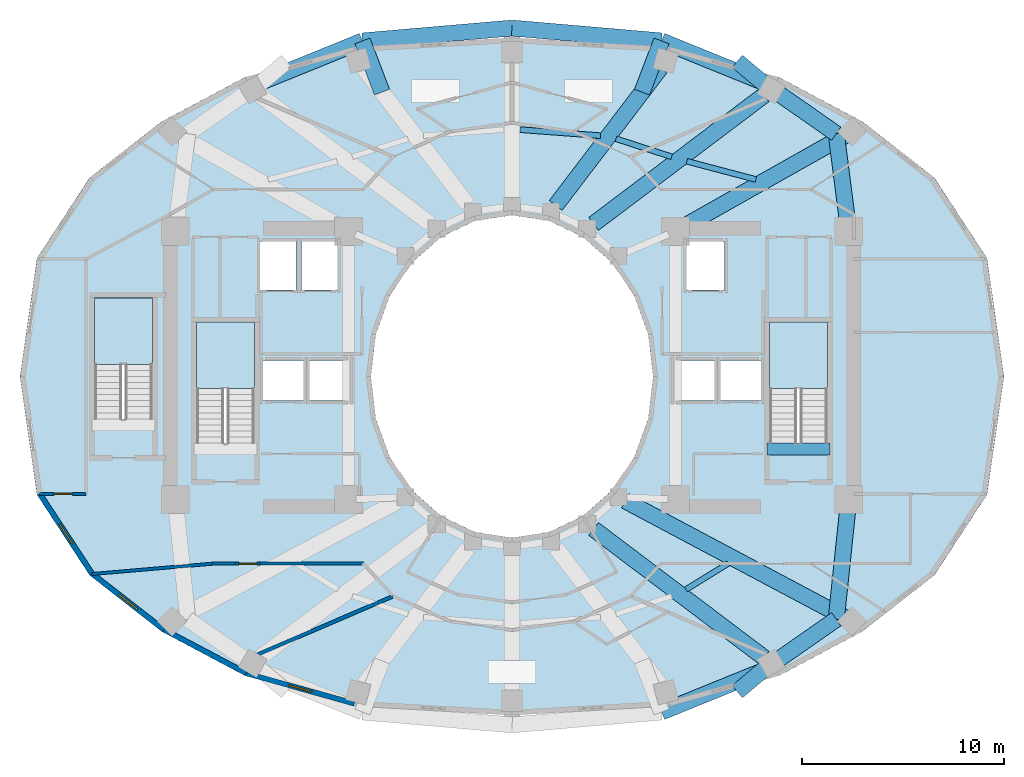
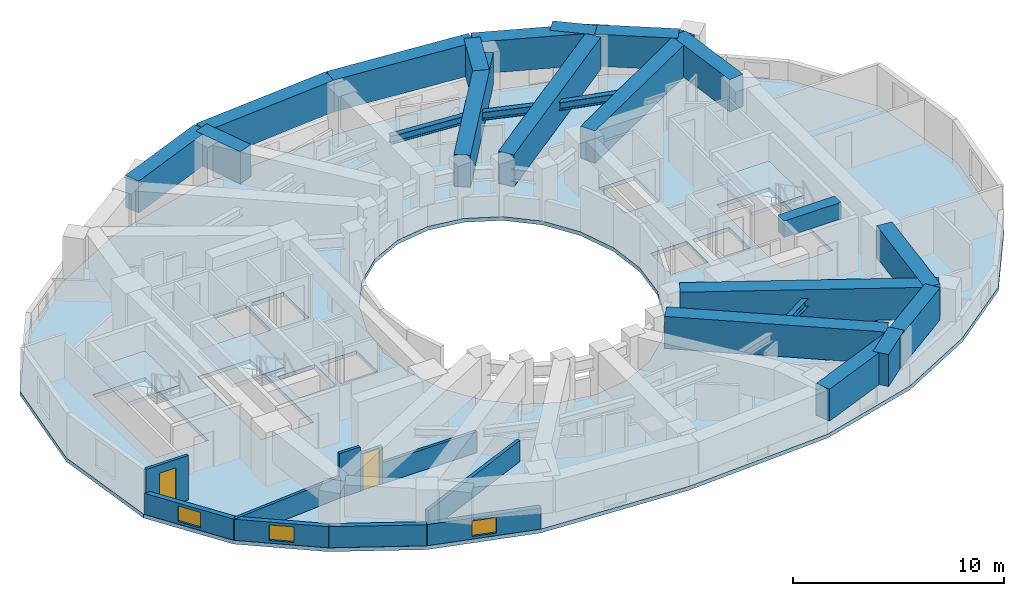
# One storey, part 2 of 9: 23 beams, 10 walls, 4 slabs, 3 windows, 2 doors, 5 openings, 3 elements without a shape of their own.
"""IFC4 building model written with IfcOpenShell, lengths in metres."""

from ifc_helpers import new_model, si_unit, direction, frame, frame_2d, origin, origin_2d, place, context, subcontext, project, spatial, polyline, rectangle, i_section, outline, extrude, material, layer, layer_set, material_profile, profile_set, type_object, element, fill, aggregate, save


model = new_model("IFC4")

# Units and contexts
model_context = context("Model", 3, precision=1e-05, world=origin(), true_north=direction((0.0, 1.0)))
body_context = subcontext(model_context, "Body", "Model", "MODEL_VIEW")
ifc_project = project(units=[si_unit("LENGTHUNIT", "METRE"), si_unit("AREAUNIT", "SQUARE_METRE"), si_unit("VOLUMEUNIT", "CUBIC_METRE"), si_unit("PLANEANGLEUNIT", "RADIAN"), si_unit("MASSUNIT", "GRAM", prefix="KILO")], contexts=[model_context])

# Site, building, storey
site_placement = place(None, origin())
site = spatial("IfcSite", under=ifc_project, at=site_placement, CompositionType="ELEMENT")
building_placement = place(site_placement, origin())
building = spatial("IfcBuilding", under=site, at=building_placement, Name="Solvane Sanctuary Tower", CompositionType="ELEMENT")
storey_placement = place(building_placement, frame((0.0, 0.0, 125.89990234375)))
storey = spatial("IfcBuildingStorey", under=building, at=storey_placement, Name="L38", CompositionType="ELEMENT", Elevation=125.89990234375)

# Beams
ifc_material_1 = material(Name="Concrete C70/85", Category="concrete")
ifc_material_profile_1 = material_profile(ifc_material_1, rectangle(XDim=0.60009765625, YDim=0.949951171875, at=origin_2d()), Name="RC600X950")
ifc_profile_set_1 = profile_set([ifc_material_profile_1], Name="Concrete C70/85")
beam_type_1 = type_object("IfcBeamType", Name="Beam B-COUPLE RC600X950", PredefinedType="LINTEL", material=ifc_profile_set_1)
beam_1_placement = place(storey_placement, frame((44.64990234375, 19.399169921875, 2.625), z_axis=(1.0, 0.0, 0.0), x_axis=(0.0, 1.0, 0.0)))
element("IfcBeam", 1, at=beam_1_placement, inside=storey, type_object=beam_type_1, Name="L38 ST-2 Stair Floor Landing Trimmer", PredefinedType="LINTEL", context=body_context, shape_type="SweptSolid", body=[
    extrude(rectangle(XDim=0.60009765625, YDim=0.949951171875, at=origin_2d()), origin(), (0.0, 0.0, 1.0), 3.1201171875),
])
ifc_material_2 = material(Name="Steel ASTM A992 Grade 50", Category="steel")
ifc_material_profile_2 = material_profile(ifc_material_2, i_section(OverallWidth=0.280029296875, OverallDepth=0.462890625, WebThickness=0.0107421875, FlangeThickness=0.017333984375, FilletRadius=0.013916015625, at=origin_2d()), Name="W18X76")
ifc_profile_set_2 = profile_set([ifc_material_profile_2], Name="Steel ASTM A992 Grade 50")
beam_type_2 = type_object("IfcBeamType", Name="Beam B-SEC-JOIST W18X76", PredefinedType="JOIST", material=ifc_profile_set_2)
beam_2_placement = place(storey_placement, frame((32.393798828125, 35.240478515625, 2.36669921875), z_axis=(0.997206014057, -0.074700505548, 0.0), x_axis=(0.074700505548, 0.997206014057, 0.0)))
element("IfcBeam", 2, at=beam_2_placement, inside=storey, type_object=beam_type_2, Name="L38 Secondary Circumferential Joist 04-03", PredefinedType="JOIST", context=body_context, shape_type="SweptSolid", body=[
    extrude(i_section(OverallWidth=0.280029296875, OverallDepth=0.462890625, WebThickness=0.0107421875, FlangeThickness=0.017333984375, FilletRadius=0.013916015625, at=origin_2d()), origin(), (0.0, 0.0, 1.0), 4.003662109375),
])
beam_3_placement = place(storey_placement, frame((37.15576171875, 34.7900390625, 2.36669921875), z_axis=(0.951224152345, -0.308500586701, 0.0), x_axis=(0.308500586701, 0.951224152345, 0.0)))
element("IfcBeam", 3, at=beam_3_placement, inside=storey, type_object=beam_type_2, Name="L38 Secondary Circumferential Joist 03-02", PredefinedType="JOIST", context=body_context, shape_type="SweptSolid", body=[
    extrude(i_section(OverallWidth=0.280029296875, OverallDepth=0.462890625, WebThickness=0.0107421875, FlangeThickness=0.017333984375, FilletRadius=0.013916015625, at=origin_2d()), origin(), (0.0, 0.0, 1.0), 2.904296875),
])
beam_4_placement = place(storey_placement, frame((40.676025390625, 33.67138671875, 2.36669921875), z_axis=(0.966933950573, -0.2550269304, 0.0), x_axis=(0.2550269304, 0.966933950573, 0.0)))
element("IfcBeam", 4, at=beam_4_placement, inside=storey, type_object=beam_type_2, Name="L38 Secondary Circumferential Joist 02-01", PredefinedType="JOIST", context=body_context, shape_type="SweptSolid", body=[
    extrude(i_section(OverallWidth=0.280029296875, OverallDepth=0.462890625, WebThickness=0.0107421875, FlangeThickness=0.017333984375, FilletRadius=0.013916015625, at=origin_2d()), origin(), (0.0, 0.0, 1.0), 3.535400390625),
])
beam_5_placement = place(storey_placement, frame((40.630126953125, 12.435546875, 2.36669921875), z_axis=(0.850640451739, 0.525747869101, 0.0), x_axis=(-0.525747869101, 0.850640451739, 0.0)))
element("IfcBeam", 5, at=beam_5_placement, inside=storey, type_object=beam_type_2, Name="L38 Secondary Circumferential Joist 13-14", PredefinedType="JOIST", context=body_context, shape_type="SweptSolid", body=[
    extrude(i_section(OverallWidth=0.280029296875, OverallDepth=0.462890625, WebThickness=0.0107421875, FlangeThickness=0.017333984375, FilletRadius=0.013916015625, at=origin_2d()), origin(), (0.0, 0.0, 1.0), 2.46630859375),
])
ifc_material_profile_3 = material_profile(ifc_material_1, rectangle(XDim=0.800048828125, YDim=1.85009765625, at=origin_2d()), Name="RC800X1850")
ifc_profile_set_3 = profile_set([ifc_material_profile_3], Name="Concrete C70/85")
beam_type_3 = type_object("IfcBeamType", Name="Beam B-XFER-BLK RC800X1850", PredefinedType="BEAM", material=ifc_profile_set_3)
beam_6_placement = place(storey_placement, frame((40.41357421875, 30.376953125, 2.175048828125), z_axis=(0.870953365504, 0.491365683699, 0.0), x_axis=(-0.491365683699, 0.870953365504, 0.0)))
element("IfcBeam", 6, at=beam_6_placement, inside=storey, type_object=beam_type_3, Name="L38 Block-Shift Radial Transfer Girder 01A", PredefinedType="BEAM", context=body_context, shape_type="SweptSolid", body=[
    extrude(rectangle(XDim=0.800048828125, YDim=1.85009765625, at=origin_2d()), origin(), (0.0, 0.0, 1.0), 9.284912109375),
])
beam_7_placement = place(storey_placement, frame((36.04541015625, 30.564697265625, 2.175048828125), z_axis=(0.798118916751, 0.602499954128, 0.0), x_axis=(-0.602499954128, 0.798118916751, 0.0)))
element("IfcBeam", 7, at=beam_7_placement, inside=storey, type_object=beam_type_3, Name="L38 Block-Shift Radial Transfer Girder 02A", PredefinedType="BEAM", context=body_context, shape_type="SweptSolid", body=[
    extrude(rectangle(XDim=0.800048828125, YDim=1.85009765625, at=origin_2d()), origin(), (0.0, 0.0, 1.0), 10.59716796875),
])
beam_8_placement = place(storey_placement, frame((44.820068359375, 37.24951171875, 2.175048828125), z_axis=(-0.766739477312, 0.641958389564, 0.0), x_axis=(-0.641958389564, -0.766739477312, 0.0)))
element("IfcBeam", 8, at=beam_8_placement, inside=storey, type_object=beam_type_3, Name="L38 Block-Shift Transfer Tie 02B", PredefinedType="BEAM", context=body_context, shape_type="SweptSolid", body=[
    extrude(rectangle(XDim=0.800048828125, YDim=1.85009765625, at=origin_2d()), origin(), (0.0, 0.0, 1.0), 2.150146484375),
])
beam_9_placement = place(storey_placement, frame((34.170166015625, 31.48583984375, 2.175048828125), z_axis=(0.605981369549, 0.795478836777, 0.0), x_axis=(-0.795478836777, 0.605981369549, 0.0)))
element("IfcBeam", 9, at=beam_9_placement, inside=storey, type_object=beam_type_3, Name="L38 Block-Shift Radial Transfer Girder 03A", PredefinedType="BEAM", context=body_context, shape_type="SweptSolid", body=[
    extrude(rectangle(XDim=0.800048828125, YDim=1.85009765625, at=origin_2d()), origin(), (0.0, 0.0, 1.0), 8.563720703125),
])
for number, where, z_axis, x_axis, name in (
    (10, (38.44775390625, 37.100830078125, 2.175048828125), (0.356637449098, 0.934242864517, 0.0), (-0.934242864517, 0.356637449098, 0.0), "L38 Block-Shift Transfer Tie 03B"),
    (11, (25.55224609375, 37.100830078125, 2.175048828125), (-0.356637449098, 0.934242864517, 0.0), (-0.934242864517, -0.356637449098, 0.0), "L38 Block-Shift Transfer Tie 05B"),
):
    element("IfcBeam", number, at=place(storey_placement, frame(where, z_axis=z_axis, x_axis=x_axis)), inside=storey, type_object=beam_type_3, Name=name, PredefinedType="BEAM", context=body_context, shape_type="SweptSolid", body=[
        extrude(rectangle(XDim=0.800048828125, YDim=1.85009765625, at=origin_2d()), origin(), (0.0, 0.0, 1.0), 2.718994140625),
    ])
beam_10_placement = place(storey_placement, frame((36.04541015625, 15.435302734375, 2.175048828125), z_axis=(0.798118916751, -0.602499954128, 0.0), x_axis=(0.602499954128, 0.798118916751, 0.0)))
element("IfcBeam", 12, at=beam_10_placement, inside=storey, type_object=beam_type_3, Name="L38 Block-Shift Radial Transfer Girder 13A", PredefinedType="BEAM", context=body_context, shape_type="SweptSolid", body=[
    extrude(rectangle(XDim=0.800048828125, YDim=1.85009765625, at=origin_2d()), origin(), (0.0, 0.0, 1.0), 10.59716796875),
])
beam_11_placement = place(storey_placement, frame((44.820068359375, 8.75048828125, 2.175048828125), z_axis=(-0.766739477312, -0.641958389564, 0.0), x_axis=(0.641958389564, -0.766739477312, 0.0)))
element("IfcBeam", 13, at=beam_11_placement, inside=storey, type_object=beam_type_3, Name="L38 Block-Shift Transfer Tie 13B", PredefinedType="BEAM", context=body_context, shape_type="SweptSolid", body=[
    extrude(rectangle(XDim=0.800048828125, YDim=1.85009765625, at=origin_2d()), origin(), (0.0, 0.0, 1.0), 2.150146484375),
])
beam_12_placement = place(storey_placement, frame((37.623779296875, 16.83251953125, 2.175048828125), z_axis=(0.882947765394, -0.469471238294, 0.0), x_axis=(0.469471238294, 0.882947765394, 0.0)))
element("IfcBeam", 14, at=beam_12_placement, inside=storey, type_object=beam_type_3, Name="L38 Block-Shift Radial Transfer Girder 14A", PredefinedType="BEAM", context=body_context, shape_type="SweptSolid", body=[
    extrude(rectangle(XDim=0.800048828125, YDim=1.85009765625, at=origin_2d()), origin(), (0.0, 0.0, 1.0), 12.312744140625),
])
beam_13_placement = place(storey_placement, frame((19.6357421875, 37.631103515625, 2.175048828125), z_axis=(0.926441663088, 0.37643836799, 0.0), x_axis=(-0.37643836799, 0.926441663088, 0.0)))
element("IfcBeam", 15, at=beam_13_placement, inside=storey, type_object=beam_type_3, Name="L38 Perimeter Step Transfer Ring NTC06-NTC05", PredefinedType="BEAM", context=body_context, shape_type="SweptSolid", body=[
    extrude(rectangle(XDim=0.800048828125, YDim=1.85009765625, at=origin_2d()), origin(), (0.0, 0.0, 1.0), 5.339599609375),
])
for number, where, z_axis, x_axis, name in (
    (16, (24.58251953125, 39.64111328125, 2.175048828125), (0.996310765817, 0.085818750383, 0.0), (-0.085818750383, 0.996310765817, 0.0), "L38 Perimeter Step Transfer Ring NTC05-NTC04"),
    (17, (32.0, 40.280029296875, 2.175048828125), (0.996310765817, -0.085818750383, 0.0), (0.085818750383, 0.996310765817, 0.0), "L38 Perimeter Step Transfer Ring NTC04-NTC03"),
):
    element("IfcBeam", number, at=place(storey_placement, frame(where, z_axis=z_axis, x_axis=x_axis)), inside=storey, type_object=beam_type_3, Name=name, PredefinedType="BEAM", context=body_context, shape_type="SweptSolid", body=[
        extrude(rectangle(XDim=0.800048828125, YDim=1.85009765625, at=origin_2d()), origin(), (0.0, 0.0, 1.0), 7.445068359375),
    ])
beam_14_placement = place(storey_placement, frame((39.41748046875, 39.64111328125, 2.175048828125), z_axis=(0.926441663088, -0.37643836799, 0.0), x_axis=(0.37643836799, 0.926441663088, 0.0)))
element("IfcBeam", 18, at=beam_14_placement, inside=storey, type_object=beam_type_3, Name="L38 Perimeter Step Transfer Ring NTC03-NTC02", PredefinedType="BEAM", context=body_context, shape_type="SweptSolid", body=[
    extrude(rectangle(XDim=0.800048828125, YDim=1.85009765625, at=origin_2d()), origin(), (0.0, 0.0, 1.0), 5.339599609375),
])
beam_15_placement = place(storey_placement, frame((44.3642578125, 37.631103515625, 2.175048828125), z_axis=(0.820192815558, -0.572087183309, 0.0), x_axis=(0.572087183309, 0.820192815558, 0.0)))
element("IfcBeam", 19, at=beam_15_placement, inside=storey, type_object=beam_type_3, Name="L38 Perimeter Step Transfer Ring NTC02-NTC01", PredefinedType="BEAM", context=body_context, shape_type="SweptSolid", body=[
    extrude(rectangle(XDim=0.800048828125, YDim=1.85009765625, at=origin_2d()), origin(), (0.0, 0.0, 1.0), 4.530517578125),
])
beam_16_placement = place(storey_placement, frame((48.080078125, 35.039306640625, 2.175048828125), z_axis=(0.127072999656, -0.991893367635, 0.0), x_axis=(0.991893367635, 0.127072999656, 0.0)))
element("IfcBeam", 20, at=beam_16_placement, inside=storey, type_object=beam_type_3, Name="L38 Perimeter Step Transfer Ring NTC01-CE3", PredefinedType="BEAM", context=body_context, shape_type="SweptSolid", body=[
    extrude(rectangle(XDim=0.800048828125, YDim=1.85009765625, at=origin_2d()), origin(), (0.0, 0.0, 1.0), 4.518798828125),
])
beam_17_placement = place(storey_placement, frame((39.41748046875, 6.35888671875, 2.175048828125), z_axis=(0.926441663088, 0.37643836799, 0.0), x_axis=(-0.37643836799, 0.926441663088, 0.0)))
element("IfcBeam", 21, at=beam_17_placement, inside=storey, type_object=beam_type_3, Name="L38 Perimeter Step Transfer Ring NTC12-NTC13", PredefinedType="BEAM", context=body_context, shape_type="SweptSolid", body=[
    extrude(rectangle(XDim=0.800048828125, YDim=1.85009765625, at=origin_2d()), origin(), (0.0, 0.0, 1.0), 5.339599609375),
])
beam_18_placement = place(storey_placement, frame((44.3642578125, 8.368896484375, 2.175048828125), z_axis=(0.820192815558, 0.572087183309, 0.0), x_axis=(-0.572087183309, 0.820192815558, 0.0)))
element("IfcBeam", 22, at=beam_18_placement, inside=storey, type_object=beam_type_3, Name="L38 Perimeter Step Transfer Ring NTC13-NTC14", PredefinedType="BEAM", context=body_context, shape_type="SweptSolid", body=[
    extrude(rectangle(XDim=0.800048828125, YDim=1.85009765625, at=origin_2d()), origin(), (0.0, 0.0, 1.0), 4.530517578125),
])
beam_19_placement = place(storey_placement, frame((48.080078125, 10.960693359375, 2.175048828125), z_axis=(0.103806035559, 0.994597560314, 0.0), x_axis=(-0.994597560314, 0.103806035559, 0.0)))
element("IfcBeam", 23, at=beam_19_placement, inside=storey, type_object=beam_type_3, Name="L38 Perimeter Step Transfer Ring NTC14-CE2", PredefinedType="BEAM", context=body_context, shape_type="SweptSolid", body=[
    extrude(rectangle(XDim=0.800048828125, YDim=1.85009765625, at=origin_2d()), origin(), (0.0, 0.0, 1.0), 5.611572265625),
])

# Stair, slab
ifc_material_3 = material(Name="Concrete C45/55", Category="concrete")
stair_type = type_object("IfcStairType", Name="Stair ST-TOW", PredefinedType="HALF_TURN_STAIR", material=ifc_material_3)
stair_1_placement = place(storey_placement, origin())
stair_1 = element("IfcStair", 24, at=stair_1_placement, inside=storey, type_object=stair_type, Name="L38 Exit Stair ST-1 West Core", PredefinedType="HALF_TURN_STAIR")
ifc_layer_1 = layer(ifc_material_3, 0.199951171875, Name="Concrete C45/55")
ifc_layer_set_1 = layer_set([ifc_layer_1], Name="Concrete C45/55")
slab_type_1 = type_object("IfcSlabType", Name="Slab SL-LAND-180", PredefinedType="LANDING", material=ifc_layer_set_1)
slab_1_placement = place(storey_placement, frame((0.0, 0.0, 1.35009765625)))
slab_1 = element("IfcSlab", 25, at=slab_1_placement, type_object=slab_type_1, Name="ST-1 landing 1", PredefinedType="LANDING", context=body_context, shape_type="SweptSolid", body=[
    extrude(outline(polyline([(19.219970703125, 22.39990234375), (19.219970703125, 25.699951171875), (16.360107421875, 25.699951171875), (16.360107421875, 22.39990234375), (19.219970703125, 22.39990234375)])), origin(), (0.0, 0.0, 1.0), 0.199951171875),
])
aggregate(stair_1, [slab_1])

stair_2_placement = place(storey_placement, origin())
stair_2 = element("IfcStair", 26, at=stair_2_placement, inside=storey, type_object=stair_type, Name="L38 Exit Stair ST-2 East Core", PredefinedType="HALF_TURN_STAIR")
slab_2_placement = place(storey_placement, frame((0.0, 0.0, 1.35009765625)))
slab_2 = element("IfcSlab", 27, at=slab_2_placement, type_object=slab_type_1, Name="ST-2 landing 1", PredefinedType="LANDING", context=body_context, shape_type="SweptSolid", body=[
    extrude(outline(polyline([(47.639892578125, 22.39990234375), (47.639892578125, 25.699951171875), (44.780029296875, 25.699951171875), (44.780029296875, 22.39990234375), (47.639892578125, 22.39990234375)])), origin(), (0.0, 0.0, 1.0), 0.199951171875),
])
aggregate(stair_2, [slab_2])

stair_3_placement = place(storey_placement, origin())
stair_3 = element("IfcStair", 28, at=stair_3_placement, inside=storey, type_object=stair_type, Name="L38 Exit Stair ST-3 Pilgrim Tower Stair", PredefinedType="HALF_TURN_STAIR")
slab_3_placement = place(storey_placement, frame((0.0, 0.0, 1.35009765625)))
slab_3 = element("IfcSlab", 29, at=slab_3_placement, type_object=slab_type_1, Name="ST-3 landing 1", PredefinedType="LANDING", context=body_context, shape_type="SweptSolid", body=[
    extrude(outline(polyline([(14.159912109375, 23.60009765625), (14.159912109375, 26.89990234375), (11.300048828125, 26.89990234375), (11.300048828125, 23.60009765625), (14.159912109375, 23.60009765625)])), origin(), (0.0, 0.0, 1.0), 0.199951171875),
])
aggregate(stair_3, [slab_3])

# Slab
ifc_layer_2 = layer(ifc_material_3, 0.219970703125, Name="Concrete C45/55")
ifc_layer_set_2 = layer_set([ifc_layer_2], Name="Concrete C45/55")
slab_type_2 = type_object("IfcSlabType", Name="Slab SL-TOW-220", PredefinedType="FLOOR", material=ifc_layer_set_2)
slab_4_placement = place(storey_placement, frame((0.0, 0.0, -0.219970703125)))
element("IfcSlab", 30, at=slab_4_placement, inside=storey, type_object=slab_type_2, Name="L38 Primary Structural Slab", PredefinedType="FLOOR", context=body_context, shape_type="SweptSolid", body=[
    extrude(outline(polyline([(56.39990234375, 23.0), (55.556884765625, 28.86376953125), (52.94091796875, 32.8623046875), (49.365478515625, 35.650390625), (45.249267578125, 37.83544921875), (39.861328125, 39.347412109375), (32.0, 39.800048828125), (24.138671875, 39.347412109375), (18.750732421875, 37.83544921875), (14.634521484375, 35.650390625), (11.05908203125, 32.8623046875), (8.443115234375, 28.86376953125), (7.60009765625, 23.0), (8.443115234375, 17.13623046875), (11.05908203125, 13.1376953125), (14.634521484375, 10.349609375), (18.750732421875, 8.16455078125), (24.138671875, 6.652587890625), (32.0, 6.199951171875), (39.861328125, 6.652587890625), (45.249267578125, 8.16455078125), (49.365478515625, 10.349609375), (52.94091796875, 13.1376953125), (55.556884765625, 17.13623046875), (56.39990234375, 23.0)]), holes=[polyline([(38.761474609375, 20.929443359375), (38.062255859375, 19.0), (36.94970703125, 17.343017578125), (35.5, 16.07177734375), (33.811767578125, 15.272705078125), (32.0, 15.0), (30.188232421875, 15.272705078125), (28.5, 16.07177734375), (27.05029296875, 17.343017578125), (25.937744140625, 19.0), (25.238525390625, 20.929443359375), (25.0, 23.0), (25.238525390625, 25.070556640625), (25.937744140625, 27.0), (27.05029296875, 28.656982421875), (28.5, 29.92822265625), (30.188232421875, 30.727294921875), (32.0, 31.0), (33.811767578125, 30.727294921875), (35.5, 29.92822265625), (36.94970703125, 28.656982421875), (38.062255859375, 27.0), (38.761474609375, 25.070556640625), (39.0, 23.0), (38.761474609375, 20.929443359375)]), polyline([(16.360107421875, 19.699951171875), (16.360107421875, 25.699951171875), (19.219970703125, 25.699951171875), (19.219970703125, 19.699951171875), (16.360107421875, 19.699951171875)]), polyline([(44.780029296875, 19.699951171875), (44.780029296875, 25.699951171875), (47.639892578125, 25.699951171875), (47.639892578125, 19.699951171875), (44.780029296875, 19.699951171875)]), polyline([(11.300048828125, 20.89990234375), (11.300048828125, 26.89990234375), (14.159912109375, 26.89990234375), (14.159912109375, 20.89990234375), (11.300048828125, 20.89990234375)]), polyline([(19.64990234375, 23.800048828125), (21.64990234375, 23.800048828125), (21.64990234375, 21.800048828125), (19.64990234375, 21.800048828125), (19.64990234375, 23.800048828125)]), polyline([(42.35009765625, 23.800048828125), (44.35009765625, 23.800048828125), (44.35009765625, 21.800048828125), (42.35009765625, 21.800048828125), (42.35009765625, 23.800048828125)]), polyline([(21.949951171875, 23.800048828125), (23.949951171875, 23.800048828125), (23.949951171875, 21.800048828125), (21.949951171875, 21.800048828125), (21.949951171875, 23.800048828125)]), polyline([(40.050048828125, 23.800048828125), (42.050048828125, 23.800048828125), (42.050048828125, 21.800048828125), (40.050048828125, 21.800048828125), (40.050048828125, 23.800048828125)]), polyline([(19.5, 29.699951171875), (21.300048828125, 29.699951171875), (21.300048828125, 27.300048828125), (19.5, 27.300048828125), (19.5, 29.699951171875)]), polyline([(21.550048828125, 29.699951171875), (23.35009765625, 29.699951171875), (23.35009765625, 27.300048828125), (21.550048828125, 27.300048828125), (21.550048828125, 29.699951171875)]), polyline([(40.64990234375, 29.699951171875), (42.550048828125, 29.699951171875), (42.550048828125, 27.300048828125), (40.64990234375, 27.300048828125), (40.64990234375, 29.699951171875)])]), origin(), (0.0, 0.0, 1.0), 0.219970703125),
])

# Wall, opening, door
ifc_material_4 = material(Name="Acoustic Gypsum Partition Board")
ifc_layer_3 = layer(ifc_material_4, 0.14990234375, Name="Acoustic Gypsum Partition Board")
ifc_layer_set_3 = layer_set([ifc_layer_3], Name="Acoustic Gypsum Partition Board")
wall_type_1 = type_object("IfcWallType", Name="Wall W-CORR-150", PredefinedType="PARTITIONING", material=ifc_layer_set_3)
wall_1_placement = place(storey_placement, frame((8.558349609375, 17.1748046875, 0.0), z_axis=(0.0, 0.0, 1.0), x_axis=(1.0, 0.0, 0.0)))
wall_1 = element("IfcWall", 31, at=wall_1_placement, inside=storey, type_object=wall_type_1, Name="L38 West Shoulder South Wall", PredefinedType="PARTITIONING", context=body_context, shape_type="SweptSolid", body=[
    extrude(rectangle(XDim=2.321533203125, YDim=0.14990234375, at=frame_2d((1.16064453125, 0.0))), origin(), (0.0, 0.0, 1.0), 2.5751953125),
])
opening_1_placement = place(wall_1_placement, frame((0.739013671875, 0.0, 0.0)))
opening_1 = element("IfcOpeningElement", 32, at=opening_1_placement, cuts=wall_1, Name="Opening D-L38-14", PredefinedType="OPENING", context=body_context, shape_type="SweptSolid", body=[
    extrude(rectangle(XDim=0.89990234375, YDim=2.10009765625, at=frame_2d((0.449951171875, 1.050048828125))), frame((0.0, 0.0849609375, 0.0), z_axis=(0.0, -1.0, 0.0), x_axis=(1.0, 0.0, 0.0)), (0.0, 0.0, 1.0), 0.169921875),
])
ifc_material_5 = material(Name="Engineered Tropical Hardwood", Category="wood")
door_type = type_object("IfcDoorType", Name="Door D-WET-900", OperationType="NOTDEFINED", PredefinedType="DOOR", material=ifc_material_5)
door_1_placement = place(opening_1_placement, origin())
door_1 = element("IfcDoor", 33, at=door_1_placement, inside=storey, type_object=door_type, Name="L38 West Shoulder South Door", OperationType="SINGLE_SWING_RIGHT", OverallHeight=2.10009765625, OverallWidth=0.89990234375, PredefinedType="DOOR", context=body_context, shape_type="SweptSolid", body=[
    extrude(rectangle(XDim=0.89990234375, YDim=2.10009765625, at=frame_2d((0.449951171875, 1.050048828125))), frame((0.0, 0.02490234375, 0.0), z_axis=(0.0, -1.0, 0.0), x_axis=(1.0, 0.0, 0.0)), (0.0, 0.0, 1.0), 0.050048828125),
])
fill(opening_1, door_1)

# Wall
wall_2_placement = place(storey_placement, frame((17.14990234375, 13.719970703125, 0.0), z_axis=(0.0, 0.0, 1.0), x_axis=(1.0, 0.0, 0.0)))
element("IfcWall", 34, at=wall_2_placement, inside=storey, type_object=wall_type_1, Name="L38 SW Corner Corridor Wall", PredefinedType="PARTITIONING", context=body_context, shape_type="SweptSolid", body=[
    extrude(rectangle(XDim=1.14013671875, YDim=0.14990234375, at=frame_2d((0.570068359375, 0.0))), origin(), (0.0, 0.0, 1.0), 2.5751953125),
])

# Wall, opening, door
wall_3_placement = place(storey_placement, frame((18.2900390625, 13.719970703125, 0.0), z_axis=(0.0, 0.0, 1.0), x_axis=(1.0, 0.0, 0.0)))
wall_3 = element("IfcWall", 35, at=wall_3_placement, inside=storey, type_object=wall_type_1, Name="L38 SW Corner Corridor Wall", PredefinedType="PARTITIONING", context=body_context, shape_type="SweptSolid", body=[
    extrude(rectangle(XDim=1.219970703125, YDim=0.14990234375, at=frame_2d((0.60986328125, 0.0))), origin(), (0.0, 0.0, 1.0), 2.16015625),
])
opening_2_placement = place(wall_3_placement, frame((0.159912109375, 0.0, 0.0)))
opening_2 = element("IfcOpeningElement", 36, at=opening_2_placement, cuts=wall_3, Name="Opening D-L38-19", PredefinedType="OPENING", context=body_context, shape_type="SweptSolid", body=[
    extrude(rectangle(XDim=0.89990234375, YDim=2.10009765625, at=frame_2d((0.449951171875, 1.050048828125))), frame((0.0, 0.0849609375, 0.0), z_axis=(0.0, -1.0, 0.0), x_axis=(1.0, 0.0, 0.0)), (0.0, 0.0, 1.0), 0.169921875),
])
door_2_placement = place(opening_2_placement, origin())
door_2 = element("IfcDoor", 37, at=door_2_placement, inside=storey, type_object=door_type, Name="L38 SW Corner Salon Door", OperationType="SINGLE_SWING_LEFT", OverallHeight=2.10009765625, OverallWidth=0.89990234375, PredefinedType="DOOR", context=body_context, shape_type="SweptSolid", body=[
    extrude(rectangle(XDim=0.89990234375, YDim=2.10009765625, at=frame_2d((0.449951171875, 1.050048828125))), frame((0.0, 0.02490234375, 0.0), z_axis=(0.0, -1.0, 0.0), x_axis=(1.0, 0.0, 0.0)), (0.0, 0.0, 1.0), 0.050048828125),
])
fill(opening_2, door_2)

# Walls
wall_4_placement = place(storey_placement, frame((19.510009765625, 13.719970703125, 0.0), z_axis=(0.0, 0.0, 1.0), x_axis=(1.0, 0.0, 0.0)))
element("IfcWall", 38, at=wall_4_placement, inside=storey, type_object=wall_type_1, Name="L38 SW Corner Corridor Wall", PredefinedType="PARTITIONING", context=body_context, shape_type="SweptSolid", body=[
    extrude(rectangle(XDim=5.159912109375, YDim=0.14990234375, at=frame_2d((2.580078125, 0.0))), origin(), (0.0, 0.0, 1.0), 1.22021484375),
])
wall_5_placement = place(storey_placement, frame((17.249755859375, 13.724365234375, 0.0), z_axis=(0.0, 0.0, 1.0), x_axis=(-0.996341886029, -0.085456691633, 0.0)))
element("IfcWall", 39, at=wall_5_placement, inside=storey, type_object=wall_type_1, Name="L38 SW Corner Wing Wall", PredefinedType="PARTITIONING", context=body_context, shape_type="SweptSolid", body=[
    extrude(rectangle(XDim=6.108154296875, YDim=0.14990234375, at=frame_2d((3.05419921875, 0.0))), origin(), (0.0, 0.0, 1.0), 1.22021484375),
])

# Wall, opening, window
ifc_material_6 = material(Name="Precast concrete C40/50", Category="concrete")
ifc_layer_4 = layer(ifc_material_6, 0.260009765625, Name="Precast concrete C40/50")
ifc_layer_set_4 = layer_set([ifc_layer_4], Name="Precast concrete C40/50")
wall_type_2 = type_object("IfcWallType", Name="Wall W-EXT-250", PredefinedType="STANDARD", material=ifc_layer_set_4)
wall_6_placement = place(storey_placement, frame((8.578125, 17.181396484375, 0.0), z_axis=(0.0, 0.0, 1.0), x_axis=(0.548283220945, -0.836292717672, 0.0)))
wall_6 = element("IfcWall", 40, at=wall_6_placement, inside=storey, type_object=wall_type_2, Name="L38 Ceramic-Printed Facade Wall 13", PredefinedType="STANDARD", context=body_context, shape_type="SweptSolid", body=[
    extrude(rectangle(XDim=4.744384765625, YDim=0.260009765625, at=frame_2d((2.3720703125, 0.0))), origin(), (0.0, 0.0, 1.0), 1.22021484375),
])
opening_3_placement = place(wall_6_placement, frame((1.772216796875, 0.0, 0.14990234375)))
opening_3 = element("IfcOpeningElement", 41, at=opening_3_placement, cuts=wall_6, Name="Opening WN-OPER-1200", PredefinedType="OPENING", context=body_context, shape_type="SweptSolid", body=[
    extrude(rectangle(XDim=1.199951171875, YDim=0.89990234375, at=frame_2d((0.60009765625, 0.449951171875))), frame((0.0, 0.139892578125, 0.0), z_axis=(0.0, -1.0, 0.0), x_axis=(1.0, 0.0, 0.0)), (0.0, 0.0, 1.0), 0.280029296875),
])
ifc_material_7 = material(Name="Dark Ceramic-Fritted Low-E Glass", Category="glass")
window_type = type_object("IfcWindowType", Name="Window WN-OPER-1200", PartitioningType="SINGLE_PANEL", PredefinedType="WINDOW", material=ifc_material_7)
window_1_placement = place(opening_3_placement, origin())
window_1 = element("IfcWindow", 42, at=window_1_placement, inside=storey, type_object=window_type, Name="L38 Operable Facade Window 13", OverallHeight=0.89990234375, OverallWidth=1.199951171875, PartitioningType="SINGLE_PANEL", PredefinedType="WINDOW", context=body_context, shape_type="SweptSolid", body=[
    extrude(rectangle(XDim=1.199951171875, YDim=0.89990234375, at=frame_2d((0.60009765625, 0.449951171875))), frame((0.0, 0.030029296875, 0.0), z_axis=(0.0, -1.0, 0.0), x_axis=(1.0, 0.0, 0.0)), (0.0, 0.0, 1.0), 0.06005859375),
])
fill(opening_3, window_1)

wall_7_placement = place(storey_placement, frame((11.179443359375, 13.213623046875, 0.0), z_axis=(0.0, 0.0, 1.0), x_axis=(0.789127449954, -0.614229491094, 0.0)))
wall_7 = element("IfcWall", 43, at=wall_7_placement, inside=storey, type_object=wall_type_2, Name="L38 Ceramic-Printed Facade Wall 14", PredefinedType="STANDARD", context=body_context, shape_type="SweptSolid", body=[
    extrude(rectangle(XDim=4.504638671875, YDim=0.260009765625, at=frame_2d((2.25244140625, 0.0))), origin(), (0.0, 0.0, 1.0), 1.22021484375),
])
opening_4_placement = place(wall_7_placement, frame((1.65234375, 0.0, 0.14990234375)))
opening_4 = element("IfcOpeningElement", 44, at=opening_4_placement, cuts=wall_7, Name="Opening WN-OPER-1200", PredefinedType="OPENING", context=body_context, shape_type="SweptSolid", body=[
    extrude(rectangle(XDim=1.199951171875, YDim=0.89990234375, at=frame_2d((0.60009765625, 0.449951171875))), frame((0.0, 0.139892578125, 0.0), z_axis=(0.0, -1.0, 0.0), x_axis=(1.0, 0.0, 0.0)), (0.0, 0.0, 1.0), 0.280029296875),
])
window_2_placement = place(opening_4_placement, origin())
window_2 = element("IfcWindow", 45, at=window_2_placement, inside=storey, type_object=window_type, Name="L38 Operable Facade Window 14", OverallHeight=0.89990234375, OverallWidth=1.199951171875, PartitioningType="SINGLE_PANEL", PredefinedType="WINDOW", context=body_context, shape_type="SweptSolid", body=[
    extrude(rectangle(XDim=1.199951171875, YDim=0.89990234375, at=frame_2d((0.60009765625, 0.449951171875))), frame((0.0, 0.030029296875, 0.0), z_axis=(0.0, -1.0, 0.0), x_axis=(1.0, 0.0, 0.0)), (0.0, 0.0, 1.0), 0.06005859375),
])
fill(opening_4, window_2)

# Wall
wall_8_placement = place(storey_placement, frame((14.734130859375, 10.44677734375, 0.0), z_axis=(0.0, 0.0, 1.0), x_axis=(0.883668636807, -0.4681129568, 0.0)))
element("IfcWall", 46, at=wall_8_placement, inside=storey, type_object=wall_type_2, Name="L38 Ceramic-Printed Facade Wall 15", PredefinedType="STANDARD", context=body_context, shape_type="SweptSolid", body=[
    extrude(rectangle(XDim=4.63134765625, YDim=0.260009765625, at=frame_2d((2.315673828125, 0.0))), origin(), (0.0, 0.0, 1.0), 1.22021484375),
])

# Wall, opening, window
wall_9_placement = place(storey_placement, frame((18.82666015625, 8.27880859375, 0.0), z_axis=(0.0, 0.0, 1.0), x_axis=(0.962938491413, -0.269721081407, 0.0)))
wall_9 = element("IfcWall", 47, at=wall_9_placement, inside=storey, type_object=wall_type_2, Name="L38 Ceramic-Printed Facade Wall 16", PredefinedType="STANDARD", context=body_context, shape_type="SweptSolid", body=[
    extrude(rectangle(XDim=5.563232421875, YDim=0.260009765625, at=frame_2d((2.78173828125, 0.0))), origin(), (0.0, 0.0, 1.0), 1.22021484375),
])
opening_5_placement = place(wall_9_placement, frame((2.181640625, 0.0, 0.14990234375)))
opening_5 = element("IfcOpeningElement", 48, at=opening_5_placement, cuts=wall_9, Name="Opening WN-OPER-1200", PredefinedType="OPENING", context=body_context, shape_type="SweptSolid", body=[
    extrude(rectangle(XDim=1.199951171875, YDim=0.89990234375, at=frame_2d((0.60009765625, 0.449951171875))), frame((0.0, 0.139892578125, 0.0), z_axis=(0.0, -1.0, 0.0), x_axis=(1.0, 0.0, 0.0)), (0.0, 0.0, 1.0), 0.280029296875),
])
window_3_placement = place(opening_5_placement, origin())
window_3 = element("IfcWindow", 49, at=window_3_placement, inside=storey, type_object=window_type, Name="L38 Operable Facade Window 16", OverallHeight=0.89990234375, OverallWidth=1.199951171875, PartitioningType="SINGLE_PANEL", PredefinedType="WINDOW", context=body_context, shape_type="SweptSolid", body=[
    extrude(rectangle(XDim=1.199951171875, YDim=0.89990234375, at=frame_2d((0.60009765625, 0.449951171875))), frame((0.0, 0.030029296875, 0.0), z_axis=(0.0, -1.0, 0.0), x_axis=(1.0, 0.0, 0.0)), (0.0, 0.0, 1.0), 0.06005859375),
])
fill(opening_5, window_3)

# Wall
ifc_layer_5 = layer(ifc_material_4, 0.179931640625, Name="Acoustic Gypsum Partition Board")
ifc_layer_set_5 = layer_set([ifc_layer_5], Name="Acoustic Gypsum Partition Board")
wall_type_3 = type_object("IfcWallType", Name="Wall W-UNIT-180", PredefinedType="PARTITIONING", material=ifc_layer_set_5)
wall_10_placement = place(storey_placement, frame((26.05859375, 12.08203125, 0.0), z_axis=(0.0, 0.0, 1.0), x_axis=(-0.918836579087, -0.394638240584, 0.0)))
element("IfcWall", 50, at=wall_10_placement, inside=storey, type_object=wall_type_3, Name="L38 Radial Compartment Wall 240", PredefinedType="PARTITIONING", context=body_context, shape_type="SweptSolid", body=[
    extrude(rectangle(XDim=7.2529296875, YDim=0.179931640625, at=frame_2d((3.62646484375, 0.0))), origin(), (0.0, 0.0, 1.0), 1.22021484375),
])

save(model, "model.ifc")
